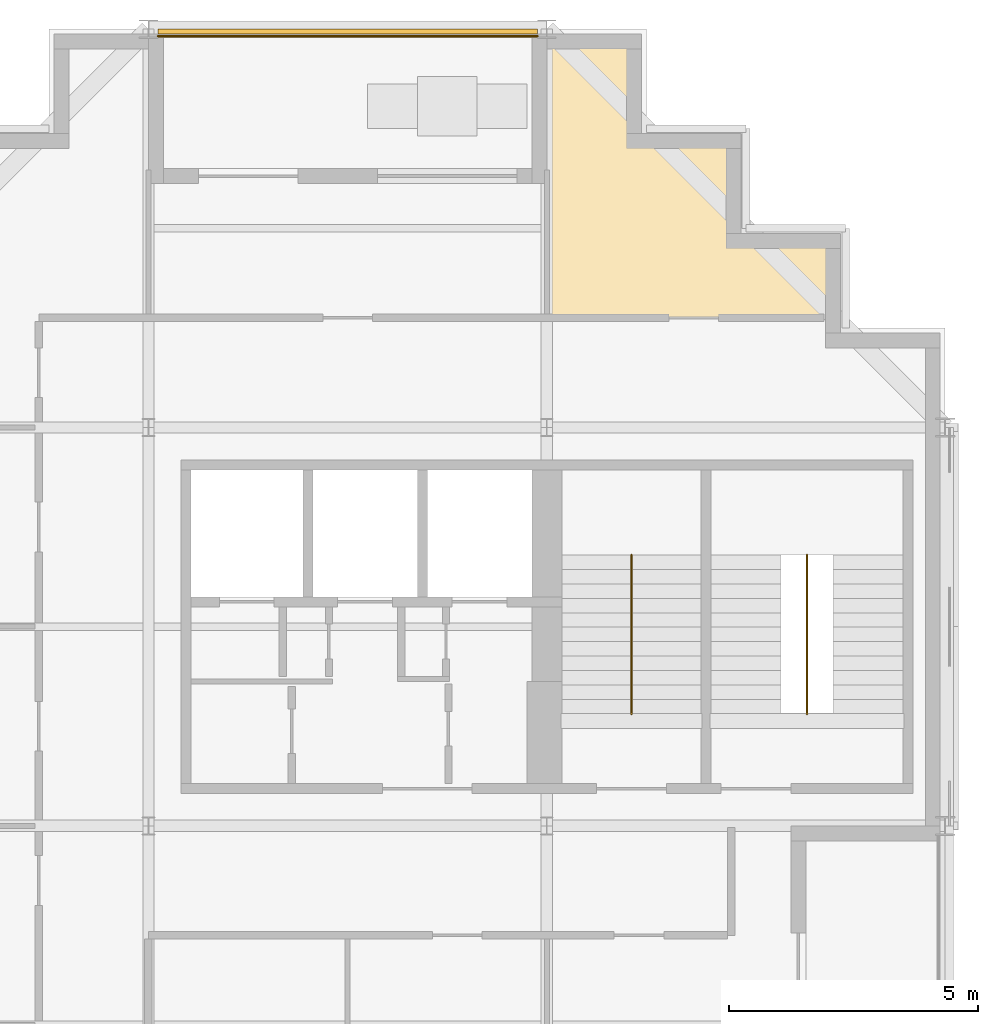
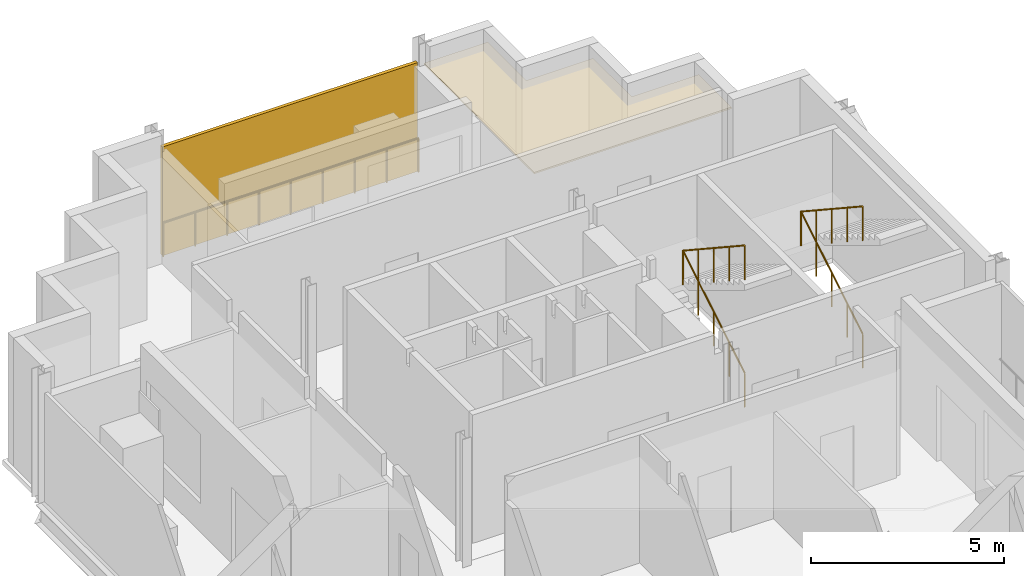
# One storey, part 12 of 13: 3 railings, 1 covering, 1 shading device.
"""IFC4 building model written with IfcOpenShell, lengths in metres."""

import ifcopenshell
import ifcopenshell.guid

model = None  # the IFC model being written
_history = None  # IfcOwnerHistory: only IFC2X3 demands one
_inside = {}  # id of a spatial element -> (the spatial element, [elements in it])
_under = {}  # id of a project, library or spatial element -> (it, [spatial elements below it])
_declared = {}  # id of a project -> (the project, [libraries it declares])
_typed = {}  # id of a type object -> (the type object, [elements of that type])
_made_of = {}  # id of a material, layer set ... -> (it, [elements and type objects made of it])


def new_model(schema):
    """Start an empty IFC model of exactly this schema.

    Asked for "IFC4X3", IfcOpenShell would pick the latest addendum, in which some entities
    have other attributes; the version numbers below select the first issue.
    IFC2X3 requires an IfcOwnerHistory on every rooted entity: one is made here for all.
    """
    global model, _history
    if schema == "IFC4X3":
        model = ifcopenshell.file(schema_version=(4, 3, 0, 0))
    else:
        model = ifcopenshell.file(schema=schema)
    _inside.clear()
    _under.clear()
    _declared.clear()
    _typed.clear()
    _made_of.clear()
    _history = None
    if model.schema == "IFC2X3":
        org = make("IfcOrganization", Name="unknown")
        user = make(
            "IfcPersonAndOrganization",
            ThePerson=make("IfcPerson", FamilyName="unknown"),
            TheOrganization=org,
        )
        app = make(
            "IfcApplication",
            ApplicationDeveloper=org,
            Version="unknown",
            ApplicationFullName="unknown",
            ApplicationIdentifier="unknown",
        )
        _history = make(
            "IfcOwnerHistory",
            OwningUser=user,
            OwningApplication=app,
            ChangeAction="ADDED",
            CreationDate=0,
        )
    return model


def make(cls, **values):
    """One entity of the class cls with the attributes given. An attribute that is None is left unset."""
    return model.create_entity(
        cls, **{name: value for name, value in values.items() if value is not None}
    )


def rooted(cls, **values):
    """An entity with a GlobalId (a new one), such as an element, a storey or a relation."""
    return make(cls, GlobalId=ifcopenshell.guid.new(), OwnerHistory=_history, **values)


def si_unit(unit_type, name, prefix=None):
    """IfcSIUnit, for example si_unit("LENGTHUNIT", "METRE", prefix="MILLI")."""
    return make("IfcSIUnit", UnitType=unit_type, Prefix=prefix, Name=name)


def assignment(units):
    """IfcUnitAssignment: the units of a project."""
    return None if units is None else make("IfcUnitAssignment", Units=units)


def point(xyz):
    """IfcCartesianPoint."""
    return None if xyz is None else make("IfcCartesianPoint", Coordinates=xyz)


def direction(xyz):
    """IfcDirection."""
    return None if xyz is None else make("IfcDirection", DirectionRatios=xyz)


def frame(location, z_axis=None, x_axis=None):
    """IfcAxis2Placement3D, a coordinate frame: its origin and axes. An axis left out is left unset."""
    return make(
        "IfcAxis2Placement3D",
        Location=point(location),
        Axis=direction(z_axis),
        RefDirection=direction(x_axis),
    )


def frame_2d(location, x_axis=None):
    """IfcAxis2Placement2D, a coordinate frame in the plane: its origin and x axis."""
    return make(
        "IfcAxis2Placement2D", Location=point(location), RefDirection=direction(x_axis)
    )


def origin():
    """The frame at (0, 0, 0) with its axes left unset."""
    return frame((0.0, 0.0, 0.0))


def origin_2d():
    """The frame at (0, 0) in the plane with its x axis left unset."""
    return frame_2d((0.0, 0.0))


def place(relative_to, where):
    """IfcLocalPlacement: puts the frame where relative to a parent placement (None: the world)."""
    return make(
        "IfcLocalPlacement", PlacementRelTo=relative_to, RelativePlacement=where
    )


def context(
    kind, dimensions, precision=None, world=None, true_north=None, identifier=None
):
    """IfcGeometricRepresentationContext, for example the 3D "Model" context."""
    return make(
        "IfcGeometricRepresentationContext",
        ContextIdentifier=identifier,
        ContextType=kind,
        CoordinateSpaceDimension=dimensions,
        Precision=precision,
        WorldCoordinateSystem=world,
        TrueNorth=true_north,
    )


def subcontext(parent, identifier, kind, view, scale=None):
    """IfcGeometricRepresentationSubContext, for example "Body" below "Model"."""
    return make(
        "IfcGeometricRepresentationSubContext",
        ContextIdentifier=identifier,
        ContextType=kind,
        ParentContext=parent,
        TargetScale=scale,
        TargetView=view,
    )


def project(units=None, contexts=None):
    """IfcProject with its units and contexts."""
    return rooted(
        "IfcProject",
        Name="project",
        RepresentationContexts=contexts,
        UnitsInContext=assignment(units),
    )


def spatial(cls, under=None, at=None, **own):
    """A site, building, storey or space (cls), placed at a placement, below another one or the project."""
    s = rooted(cls, ObjectPlacement=at, **own)
    if under is not None:
        _under.setdefault(under.id(), (under, []))[1].append(s)
    return s


def polyline(points):
    """IfcPolyline through the points."""
    return make("IfcPolyline", Points=[point(p) for p in points])


def profile(cls, at=None, kind="AREA", **sizes):
    """A parametric profile (cls). Its sizes go by their IFC names, for example OverallWidth=200.0."""
    return make(cls, ProfileType=kind, Position=at, **sizes)


def rectangle(**sizes):
    """IfcRectangleProfileDef."""
    return profile("IfcRectangleProfileDef", **sizes)


def circle(**sizes):
    """IfcCircleProfileDef."""
    return profile("IfcCircleProfileDef", **sizes)


def outline(outer, holes=None, kind="AREA"):
    """IfcArbitraryClosedProfileDef: a profile drawn as a closed curve; with holes, ...WithVoids."""
    if holes is None:
        return make("IfcArbitraryClosedProfileDef", ProfileType=kind, OuterCurve=outer)
    return make(
        "IfcArbitraryProfileDefWithVoids",
        ProfileType=kind,
        OuterCurve=outer,
        InnerCurves=holes,
    )


def extrude(swept, where, along, depth):
    """IfcExtrudedAreaSolid: the profile swept, set in the frame where, extruded along a direction by depth."""
    return make(
        "IfcExtrudedAreaSolid",
        SweptArea=swept,
        Position=where,
        ExtrudedDirection=direction(along),
        Depth=depth,
    )


def shape(context_of_items, identifier, shape_type, items):
    """IfcShapeRepresentation: the items that make up one representation, for example the "Body"."""
    return make(
        "IfcShapeRepresentation",
        ContextOfItems=context_of_items,
        RepresentationIdentifier=identifier,
        RepresentationType=shape_type,
        Items=items,
    )


def material(Name=None, Category=None):
    """IfcMaterial."""
    return make("IfcMaterial", Name=Name, Category=Category)


def layer(
    of_material, thickness, ventilated=None, Name=None, Category=None, Priority=None
):
    """IfcMaterialLayer: one layer of a wall or slab, of a material (None: an air gap)."""
    return make(
        "IfcMaterialLayer",
        Material=of_material,
        LayerThickness=thickness,
        IsVentilated=ventilated,
        Name=Name,
        Category=Category,
        Priority=Priority,
    )


def layer_set(layers, Name=None):
    """IfcMaterialLayerSet."""
    return make("IfcMaterialLayerSet", MaterialLayers=layers, LayerSetName=Name)


def made_of(thing, what):
    """Note that an element or type object is made of a material, layer set ...; save() writes the relation."""
    if what is not None:
        _made_of.setdefault(what.id(), (what, []))[1].append(thing)
    return thing


def type_object(cls, material=None, **own):
    """A type object (cls), such as IfcWallType, which elements share."""
    return made_of(rooted(cls, **own), material)


def element(
    cls,
    number,
    at=None,
    inside=None,
    cuts=None,
    type_object=None,
    material=None,
    context=None,
    identifier="Body",
    shape_type=None,
    held_by="IfcProductDefinitionShape",
    body=None,
    shapes=None,
    **own,
):
    """One element of the class cls, such as IfcWall. Its Tag is "e" and its number.

    at: its placement. inside: the storey or other place that contains it. cuts: it is an
    opening in that element (IfcRelVoidsElement). A single representation is given by context,
    identifier, shape_type and body (its items); several are given by shapes. held_by: the class
    of the entity that holds the representations. save() writes the other relations.
    """
    e = rooted(cls, Tag="e%d" % number, ObjectPlacement=at, **own)
    if body is not None:
        shapes = [shape(context, identifier, shape_type, body)]
    if shapes is not None:
        e.Representation = make(held_by, Representations=shapes)
    if inside is not None:
        _inside.setdefault(inside.id(), (inside, []))[1].append(e)
    if cuts is not None:
        rooted(
            "IfcRelVoidsElement", RelatingBuildingElement=cuts, RelatedOpeningElement=e
        )
    if type_object is not None:
        _typed.setdefault(type_object.id(), (type_object, []))[1].append(e)
    return made_of(e, material)


def aggregate(whole, parts):
    """IfcRelAggregates: a whole, such as a stair, and the parts it consists of."""
    return rooted("IfcRelAggregates", RelatingObject=whole, RelatedObjects=parts)


def save(model, path):
    """Write the relations noted so far, then the file.

    IfcRelAggregates (storeys below a building ...), IfcRelContainedInSpatialStructure (elements
    in a storey), IfcRelDefinesByType, IfcRelAssociatesMaterial and IfcRelDeclares: one each for
    every whole, place, type object, material and project.
    """
    for whole, parts in _under.values():
        aggregate(whole, parts)
    for where, things in _inside.values():
        rooted(
            "IfcRelContainedInSpatialStructure",
            RelatedElements=things,
            RelatingStructure=where,
        )
    for kind, things in _typed.values():
        rooted("IfcRelDefinesByType", RelatedObjects=things, RelatingType=kind)
    for what, things in _made_of.values():
        rooted("IfcRelAssociatesMaterial", RelatedObjects=things, RelatingMaterial=what)
    for by, libraries in _declared.values():
        rooted("IfcRelDeclares", RelatingContext=by, RelatedDefinitions=libraries)
    model.write(path)


model = new_model("IFC4")

# Units and contexts
model_context = context("Model", 3, precision=1e-05, world=origin(), true_north=direction((0.0, 1.0)))
body_context = subcontext(model_context, "Body", "Model", "MODEL_VIEW")
ifc_project = project(units=[si_unit("LENGTHUNIT", "METRE"), si_unit("AREAUNIT", "SQUARE_METRE"), si_unit("VOLUMEUNIT", "CUBIC_METRE"), si_unit("PLANEANGLEUNIT", "RADIAN"), si_unit("MASSUNIT", "GRAM", prefix="KILO")], contexts=[model_context])

# Site, building, storey
site_placement = place(None, origin())
site = spatial("IfcSite", under=ifc_project, at=site_placement, CompositionType="ELEMENT")
building_placement = place(site_placement, origin())
building = spatial("IfcBuilding", under=site, at=building_placement, Name="Immortelle Media Tower", CompositionType="ELEMENT")
storey_placement = place(building_placement, frame((0.0, 0.0, 166.199951171875)))
storey = spatial("IfcBuildingStorey", under=building, at=storey_placement, Name="L34", CompositionType="ELEMENT", Elevation=166.199951171875)

# Railing
ifc_material_1 = material(Name="Powder-coated aluminium fretwork panel, laminated glass backing", Category="aluminium")
railing_type_1 = type_object("IfcRailingType", Name="Fretwork balustrade 1100", PredefinedType="BALUSTRADE", material=ifc_material_1)
railing_placement = place(storey_placement, frame((15.8134765625, 47.860107421875, 0.0)))
element("IfcRailing", 1, at=railing_placement, inside=storey, type_object=railing_type_1, Name="Fretwork balustrade L34 N0", PredefinedType="BALUSTRADE", context=body_context, shape_type="SweptSolid", body=[
    extrude(circle(Radius=0.02490234375, at=origin_2d()), frame((0.0, 0.0, 1.0751953125), z_axis=(-1.0, 0.0, 0.0), x_axis=(0.0, -1.0, 0.0)), (0.0, 0.0, 1.0), 7.626953125),
    extrude(circle(Radius=0.02001953125, at=origin_2d()), origin(), (0.0, 0.0, 1.0), 1.050048828125),
    extrude(circle(Radius=0.02001953125, at=origin_2d()), frame((-0.953369140625, 0.0, 0.0)), (0.0, 0.0, 1.0), 1.050048828125),
    extrude(circle(Radius=0.02001953125, at=origin_2d()), frame((-1.90673828125, 0.0, 0.0)), (0.0, 0.0, 1.0), 1.050048828125),
    extrude(circle(Radius=0.02001953125, at=origin_2d()), frame((-2.860107421875, 0.0, 0.0)), (0.0, 0.0, 1.0), 1.050048828125),
    extrude(circle(Radius=0.02001953125, at=origin_2d()), frame((-3.8134765625, 0.0, 0.0)), (0.0, 0.0, 1.0), 1.050048828125),
    extrude(circle(Radius=0.02001953125, at=origin_2d()), frame((-4.766845703125, 0.0, 0.0)), (0.0, 0.0, 1.0), 1.050048828125),
    extrude(circle(Radius=0.02001953125, at=origin_2d()), frame((-5.72021484375, 0.0, 0.0)), (0.0, 0.0, 1.0), 1.050048828125),
    extrude(circle(Radius=0.02001953125, at=origin_2d()), frame((-6.673583984375, 0.0, 0.0)), (0.0, 0.0, 1.0), 1.050048828125),
    extrude(circle(Radius=0.02001953125, at=origin_2d()), frame((-7.626953125, 0.0, 0.0)), (0.0, 0.0, 1.0), 1.050048828125),
])

# Shading device
ifc_material_2 = material(Name="Pale aluminium louvre blades", Category="aluminium")
ifc_layer_1 = layer(ifc_material_2, 0.10009765625)
ifc_layer_set_1 = layer_set([ifc_layer_1], Name="Pale aluminium louvre blades")
shading_device_type = type_object("IfcShadingDeviceType", Name="Jalousie screen 100", PredefinedType="JALOUSIE", material=ifc_layer_set_1)
shading_device_placement = place(storey_placement, frame((12.0, 47.949951171875, 0.0), z_axis=(0.0, 0.0, 1.0), x_axis=(-1.0, 0.0, 0.0)))
element("IfcShadingDevice", 2, at=shading_device_placement, inside=storey, type_object=shading_device_type, Name="Jalousie screen L34 N0", PredefinedType="JALOUSIE", context=body_context, shape_type="SweptSolid", body=[
    extrude(rectangle(XDim=7.626953125, YDim=0.10009765625, at=origin_2d()), origin(), (0.0, 0.0, 1.0), 3.43798828125),
])

# Railings
ifc_material_3 = material(Name="Stainless steel AISI 316", Category="steel")
railing_type_2 = type_object("IfcRailingType", Name="Stair guard 1100", PredefinedType="GUARDRAIL", material=ifc_material_3)
for number, where, name in (
    (3, (17.699951171875, 34.25, 0.175048828125), "Stair guard NW1"),
    (4, (21.22509765625, 34.25, 0.175048828125), "Stair guard NW2"),
):
    element("IfcRailing", number, at=place(storey_placement, frame(where)), inside=storey, type_object=railing_type_2, Name=name, PredefinedType="GUARDRAIL", context=body_context, shape_type="SweptSolid", body=[
        extrude(circle(Radius=0.02392578125, at=origin_2d()), frame((0.0, 0.0, 1.076171875), z_axis=(0.0, 0.856177665481, 0.516681531633), x_axis=(-1.0, 0.0, 0.0)), (0.0, 0.0, 1.0), 3.725830078125),
        extrude(circle(Radius=0.02392578125, at=origin_2d()), frame((0.0, 3.18994140625, 3.0009765625), z_axis=(0.0, -0.835271834381, 0.549837214719), x_axis=(1.0, 0.0, 0.0)), (0.0, 0.0, 1.0), 3.819091796875),
        extrude(circle(Radius=0.02099609375, at=origin_2d()), origin(), (0.0, 0.0, 1.0), 1.052001953125),
        extrude(circle(Radius=0.02099609375, at=origin_2d()), frame((0.0, 0.79736328125, 0.481201171875)), (0.0, 0.0, 1.0), 1.052001953125),
        extrude(circle(Radius=0.02099609375, at=origin_2d()), frame((0.0, 1.594970703125, 0.96240234375)), (0.0, 0.0, 1.0), 1.052001953125),
        extrude(circle(Radius=0.02099609375, at=origin_2d()), frame((0.0, 2.392578125, 1.44384765625)), (0.0, 0.0, 1.0), 1.052001953125),
        extrude(circle(Radius=0.02099609375, at=origin_2d()), frame((0.0, 3.18994140625, 1.925048828125)), (0.0, 0.0, 1.0), 1.052001953125),
        extrude(circle(Radius=0.02099609375, at=origin_2d()), frame((0.0, 2.392578125, 2.449951171875)), (0.0, 0.0, 1.0), 1.052001953125),
        extrude(circle(Radius=0.02099609375, at=origin_2d()), frame((0.0, 1.594970703125, 2.97509765625)), (0.0, 0.0, 1.0), 1.052001953125),
        extrude(circle(Radius=0.02099609375, at=origin_2d()), frame((0.0, 0.79736328125, 3.5)), (0.0, 0.0, 1.0), 1.052001953125),
        extrude(circle(Radius=0.02099609375, at=origin_2d()), frame((0.0, 0.0, 4.02490234375)), (0.0, 0.0, 1.0), 1.052001953125),
    ])

# Covering
ifc_material_4 = material(Name="Mineral fibre tile ceiling")
ifc_layer_2 = layer(ifc_material_4, 0.050048828125)
ifc_layer_set_2 = layer_set([ifc_layer_2], Name="Mineral fibre tile ceiling")
covering_type = type_object("IfcCoveringType", Name="Suspended ceiling 50", PredefinedType="CEILING", material=ifc_layer_set_2)
covering_placement = place(storey_placement, frame((0.0, 0.0, 3.303955078125)))
element("IfcCovering", 5, at=covering_placement, inside=storey, type_object=covering_type, Name="Ceiling L34-023", PredefinedType="CEILING", context=body_context, shape_type="SweptSolid", body=[
    extrude(outline(polyline([(17.89990234375, 45.89990234375), (19.89990234375, 45.89990234375), (19.89990234375, 43.89990234375), (21.89990234375, 43.89990234375), (21.89990234375, 42.199951171875), (16.0, 42.199951171875), (16.0, 45.199951171875), (16.0, 47.89990234375), (17.89990234375, 47.89990234375), (17.89990234375, 45.89990234375)])), origin(), (0.0, 0.0, 1.0), 0.050048828125),
])

save(model, "model.ifc")
